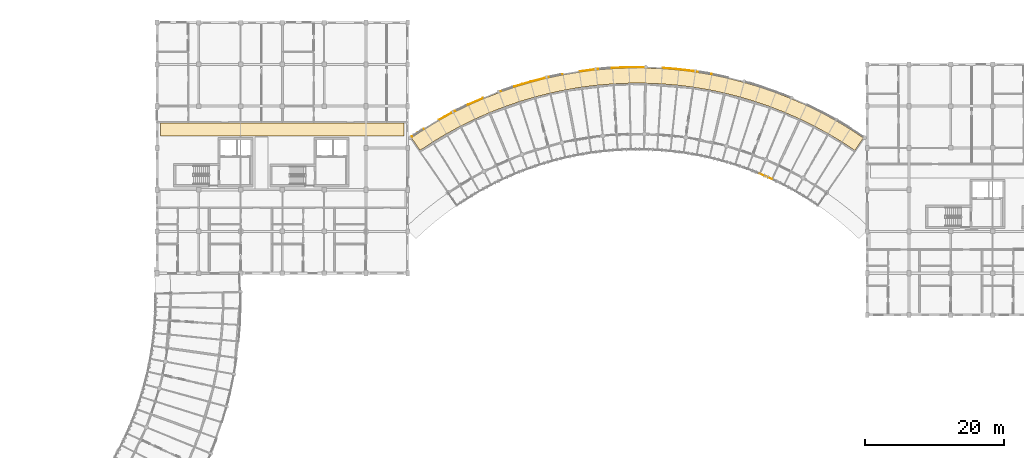
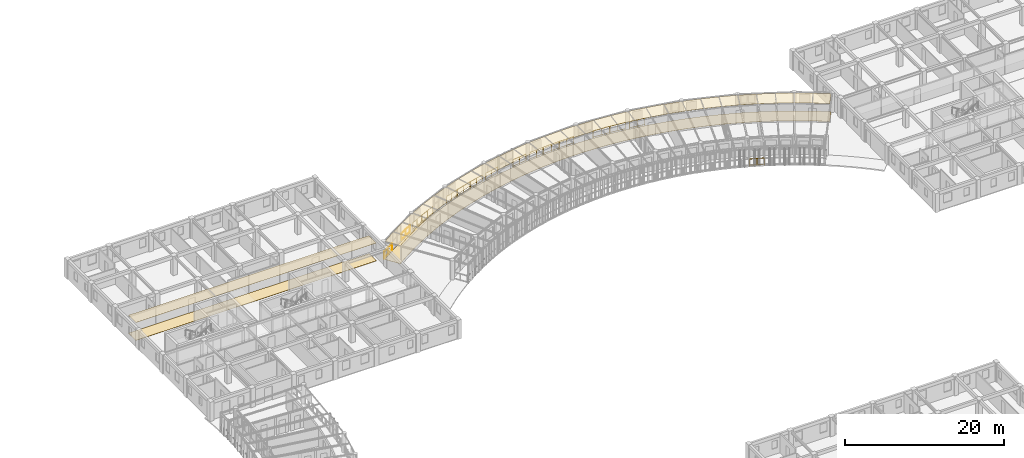
# One storey, part 97 of 100: 16 railings, 4 coverings.
"""IFC4 building model written with IfcOpenShell, lengths in metres."""

from ifc_helpers import new_model, si_unit, direction, frame, origin, origin_2d, place, context, subcontext, project, spatial, polyline, circle, outline, extrude, material, layer, layer_set, type_object, element, save


model = new_model("IFC4")

# Units and contexts
model_context = context("Model", 3, precision=1e-05, world=origin(), true_north=direction((0.0, 1.0)))
body_context = subcontext(model_context, "Body", "Model", "MODEL_VIEW")
ifc_project = project(units=[si_unit("LENGTHUNIT", "METRE"), si_unit("AREAUNIT", "SQUARE_METRE"), si_unit("VOLUMEUNIT", "CUBIC_METRE"), si_unit("PLANEANGLEUNIT", "RADIAN"), si_unit("MASSUNIT", "GRAM", prefix="KILO"), si_unit("POWERUNIT", "WATT"), si_unit("THERMODYNAMICTEMPERATUREUNIT", "KELVIN")], contexts=[model_context])

# Site, building, storey
site_placement = place(None, origin())
site = spatial("IfcSite", under=ifc_project, at=site_placement, CompositionType="ELEMENT")
building_placement = place(site_placement, origin())
building = spatial("IfcBuilding", under=site, at=building_placement, Name="Ruvembo Vaulted Housing Court", CompositionType="ELEMENT")
storey_placement = place(building_placement, frame((0.0, 0.0, 14.10009765625)))
storey = spatial("IfcBuildingStorey", under=building, at=storey_placement, Name="L04", CompositionType="ELEMENT", Elevation=14.10009765625)

# Coverings
ifc_material_1 = material(Name="Perforated Mineral-Fibre Acoustic Tile", Category="gypsum")
ifc_layer_1 = layer(ifc_material_1, 0.02001953125, Name="Perforated Mineral-Fibre Acoustic Tile")
ifc_layer_set_1 = layer_set([ifc_layer_1], Name="Perforated Mineral-Fibre Acoustic Tile")
covering_type_1 = type_object("IfcCoveringType", Name="COV-CEIL-ACOUST", PredefinedType="CEILING", material=ifc_layer_set_1)
covering_1_placement = place(storey_placement, frame((0.0, 0.0, 2.75)))
element("IfcCovering", 1, at=covering_1_placement, inside=storey, type_object=covering_type_1, Name="Block B L04 North Sub-Corridor Ceiling", PredefinedType="CEILING", context=body_context, shape_type="SweptSolid", body=[
    extrude(outline(polyline([(48.510009765625, 97.7099609375), (83.489990234375, 97.7099609375), (83.489990234375, 99.590087890625), (48.510009765625, 99.590087890625), (48.510009765625, 97.7099609375)])), origin(), (0.0, 0.0, 1.0), 0.02001953125),
])
covering_2_placement = place(storey_placement, frame((0.0, 0.0, 2.75)))
element("IfcCovering", 2, at=covering_2_placement, inside=storey, type_object=covering_type_1, Name="Scoop SC3 L04 Shaded Access Gallery Ceiling", PredefinedType="CEILING", context=body_context, shape_type="SweptSolid", body=[
    extrude(outline(polyline([(87.599853515625, 96.848876953125), (87.603759765625, 96.851318359375), (89.5693359375, 98.02880859375), (89.5732421875, 98.031005859375), (91.5859375, 99.12548828125), (91.590087890625, 99.127685546875), (93.646484375, 100.137939453125), (93.650634765625, 100.139892578125), (95.747314453125, 101.06396484375), (95.751708984375, 101.065673828125), (97.884765625, 101.90185546875), (97.888916015625, 101.9033203125), (100.054931640625, 102.650390625), (100.059326171875, 102.65185546875), (102.25439453125, 103.30810546875), (102.2587890625, 103.309326171875), (104.4794921875, 103.874267578125), (104.48388671875, 103.875244140625), (106.725830078125, 104.347412109375), (106.73046875, 104.348388671875), (108.990234375, 104.72705078125), (108.99462890625, 104.7275390625), (111.26806640625, 105.01220703125), (111.272705078125, 105.0126953125), (113.55615234375, 105.20263671875), (113.560546875, 105.202880859375), (115.849853515625, 105.298095703125), (115.8544921875, 105.298095703125), (118.1455078125, 105.298095703125), (118.150146484375, 105.298095703125), (120.439453125, 105.202880859375), (120.44384765625, 105.20263671875), (122.727294921875, 105.0126953125), (122.73193359375, 105.01220703125), (125.00537109375, 104.7275390625), (125.009765625, 104.72705078125), (127.26953125, 104.348388671875), (127.274169921875, 104.347412109375), (129.51611328125, 103.875244140625), (129.5205078125, 103.874267578125), (131.7412109375, 103.309326171875), (131.74560546875, 103.30810546875), (133.940673828125, 102.65185546875), (133.945068359375, 102.650390625), (136.111083984375, 101.9033203125), (136.115234375, 101.90185546875), (138.248291015625, 101.065673828125), (138.252685546875, 101.06396484375), (140.349365234375, 100.139892578125), (140.353515625, 100.137939453125), (142.409912109375, 99.127685546875), (142.4140625, 99.12548828125), (144.4267578125, 98.031005859375), (144.4306640625, 98.02880859375), (146.396484375, 96.851318359375), (146.400390625, 96.848876953125), (148.22509765625, 95.650390625), (149.45947265625, 97.447021484375), (147.556884765625, 98.69677734375), (145.509765625, 99.9228515625), (143.41357421875, 101.06298828125), (141.271728515625, 102.114990234375), (139.088134765625, 103.077392578125), (136.866455078125, 103.948486328125), (134.610595703125, 104.726318359375), (132.324462890625, 105.409912109375), (130.01171875, 105.998046875), (127.6767578125, 106.489990234375), (125.3232421875, 106.88427734375), (122.955322265625, 107.1806640625), (120.577392578125, 107.378662109375), (118.193115234375, 107.4775390625), (115.806884765625, 107.4775390625), (113.422607421875, 107.378662109375), (111.044677734375, 107.1806640625), (108.6767578125, 106.88427734375), (106.3232421875, 106.489990234375), (103.98828125, 105.998046875), (101.675537109375, 105.409912109375), (99.389404296875, 104.726318359375), (97.133544921875, 103.948486328125), (94.911865234375, 103.077392578125), (92.728271484375, 102.114990234375), (90.58642578125, 101.06298828125), (88.490234375, 99.9228515625), (86.443115234375, 98.69677734375), (84.54052734375, 97.447021484375), (85.77490234375, 95.650390625), (87.599853515625, 96.848876953125)])), origin(), (0.0, 0.0, 1.0), 0.02001953125),
])
ifc_material_2 = material(Name="Polished Cement-Aggregate Terrazzo", Category="stone")
ifc_layer_2 = layer(ifc_material_2, 0.02197265625, Name="Polished Cement-Aggregate Terrazzo")
ifc_layer_set_2 = layer_set([ifc_layer_2], Name="Polished Cement-Aggregate Terrazzo")
covering_type_2 = type_object("IfcCoveringType", Name="COV-FLR-CERAMIC", PredefinedType="FLOORING", material=ifc_layer_set_2)
covering_3_placement = place(storey_placement, origin())
element("IfcCovering", 3, at=covering_3_placement, inside=storey, type_object=covering_type_2, Name="Block B L04 North Sub-Corridor Flooring", PredefinedType="FLOORING", context=body_context, shape_type="SweptSolid", body=[
    extrude(outline(polyline([(48.510009765625, 97.7099609375), (83.489990234375, 97.7099609375), (83.489990234375, 99.590087890625), (48.510009765625, 99.590087890625), (48.510009765625, 97.7099609375)])), origin(), (0.0, 0.0, 1.0), 0.02197265625),
])
covering_4_placement = place(storey_placement, origin())
element("IfcCovering", 4, at=covering_4_placement, inside=storey, type_object=covering_type_2, Name="Scoop SC3 L04 Shaded Access Gallery Flooring", PredefinedType="FLOORING", context=body_context, shape_type="SweptSolid", body=[
    extrude(outline(polyline([(87.599853515625, 96.848876953125), (87.603759765625, 96.851318359375), (89.5693359375, 98.02880859375), (89.5732421875, 98.031005859375), (91.5859375, 99.12548828125), (91.590087890625, 99.127685546875), (93.646484375, 100.137939453125), (93.650634765625, 100.139892578125), (95.747314453125, 101.06396484375), (95.751708984375, 101.065673828125), (97.884765625, 101.90185546875), (97.888916015625, 101.9033203125), (100.054931640625, 102.650390625), (100.059326171875, 102.65185546875), (102.25439453125, 103.30810546875), (102.2587890625, 103.309326171875), (104.4794921875, 103.874267578125), (104.48388671875, 103.875244140625), (106.725830078125, 104.347412109375), (106.73046875, 104.348388671875), (108.990234375, 104.72705078125), (108.99462890625, 104.7275390625), (111.26806640625, 105.01220703125), (111.272705078125, 105.0126953125), (113.55615234375, 105.20263671875), (113.560546875, 105.202880859375), (115.849853515625, 105.298095703125), (115.8544921875, 105.298095703125), (118.1455078125, 105.298095703125), (118.150146484375, 105.298095703125), (120.439453125, 105.202880859375), (120.44384765625, 105.20263671875), (122.727294921875, 105.0126953125), (122.73193359375, 105.01220703125), (125.00537109375, 104.7275390625), (125.009765625, 104.72705078125), (127.26953125, 104.348388671875), (127.274169921875, 104.347412109375), (129.51611328125, 103.875244140625), (129.5205078125, 103.874267578125), (131.7412109375, 103.309326171875), (131.74560546875, 103.30810546875), (133.940673828125, 102.65185546875), (133.945068359375, 102.650390625), (136.111083984375, 101.9033203125), (136.115234375, 101.90185546875), (138.248291015625, 101.065673828125), (138.252685546875, 101.06396484375), (140.349365234375, 100.139892578125), (140.353515625, 100.137939453125), (142.409912109375, 99.127685546875), (142.4140625, 99.12548828125), (144.4267578125, 98.031005859375), (144.4306640625, 98.02880859375), (146.396484375, 96.851318359375), (146.400390625, 96.848876953125), (148.22509765625, 95.650390625), (149.45947265625, 97.447021484375), (147.556884765625, 98.69677734375), (145.509765625, 99.9228515625), (143.41357421875, 101.06298828125), (141.271728515625, 102.114990234375), (139.088134765625, 103.077392578125), (136.866455078125, 103.948486328125), (134.610595703125, 104.726318359375), (132.324462890625, 105.409912109375), (130.01171875, 105.998046875), (127.6767578125, 106.489990234375), (125.3232421875, 106.88427734375), (122.955322265625, 107.1806640625), (120.577392578125, 107.378662109375), (118.193115234375, 107.4775390625), (115.806884765625, 107.4775390625), (113.422607421875, 107.378662109375), (111.044677734375, 107.1806640625), (108.6767578125, 106.88427734375), (106.3232421875, 106.489990234375), (103.98828125, 105.998046875), (101.675537109375, 105.409912109375), (99.389404296875, 104.726318359375), (97.133544921875, 103.948486328125), (94.911865234375, 103.077392578125), (92.728271484375, 102.114990234375), (90.58642578125, 101.06298828125), (88.490234375, 99.9228515625), (86.443115234375, 98.69677734375), (84.54052734375, 97.447021484375), (85.77490234375, 95.650390625), (87.599853515625, 96.848876953125)])), origin(), (0.0, 0.0, 1.0), 0.02197265625),
])

# Railings
ifc_material_3 = material(Name="Galvanised Painted Steel and Laminated Glass", Category="steel")
ifc_layer_3 = layer(ifc_material_3, 0.070068359375, Name="Galvanised Painted Steel and Laminated Glass")
ifc_layer_set_3 = layer_set([ifc_layer_3], Name="Galvanised Painted Steel and Laminated Glass")
railing_type_1 = type_object("IfcRailingType", Name="RL-BALUST-1120", PredefinedType="BALUSTRADE", material=ifc_layer_set_3)
railing_1_placement = place(storey_placement, frame((84.636962890625, 97.64208984375, 0.0)))
element("IfcRailing", 5, at=railing_1_placement, inside=storey, type_object=railing_type_1, Name="L04 Perimeter Guard RL-EXT-L04-0747", PredefinedType="BALUSTRADE", context=body_context, shape_type="SweptSolid", body=[
    extrude(circle(Radius=0.02392578125, at=origin_2d()), frame((0.0, 0.0, 1.09619140625), z_axis=(0.835840359874, 0.548972579284, 0.0), x_axis=(-0.548972579284, 0.835840359874, 0.0)), (0.0, 0.0, 1.0), 2.040771484375),
    extrude(circle(Radius=0.01806640625, at=origin_2d()), frame((0.0, 0.0, 0.1201171875), z_axis=(0.835840359874, 0.548972579284, 0.0), x_axis=(-0.548972579284, 0.835840359874, 0.0)), (0.0, 0.0, 1.0), 2.040771484375),
    extrude(circle(Radius=0.02099609375, at=origin_2d()), origin(), (0.0, 0.0, 1.0), 1.072021484375),
    extrude(circle(Radius=0.02099609375, at=origin_2d()), frame((0.85302734375, 0.56005859375, 0.0)), (0.0, 0.0, 1.0), 1.072021484375),
    extrude(circle(Radius=0.02099609375, at=origin_2d()), frame((1.705810546875, 1.120361328125, 0.0)), (0.0, 0.0, 1.0), 1.072021484375),
])
railing_2_placement = place(storey_placement, frame((88.4794921875, 100.042236328125, 0.0)))
element("IfcRailing", 6, at=railing_2_placement, inside=storey, type_object=railing_type_1, Name="L04 Perimeter Guard RL-EXT-L04-0748", PredefinedType="BALUSTRADE", context=body_context, shape_type="SweptSolid", body=[
    extrude(circle(Radius=0.02392578125, at=origin_2d()), frame((0.0, 0.0, 1.09619140625), z_axis=(0.878489187203, 0.477762229533, 0.0), x_axis=(-0.477762229533, 0.878489187203, 0.0)), (0.0, 0.0, 1.0), 2.041015625),
    extrude(circle(Radius=0.01806640625, at=origin_2d()), frame((0.0, 0.0, 0.1201171875), z_axis=(0.878489187203, 0.477762229533, 0.0), x_axis=(-0.477762229533, 0.878489187203, 0.0)), (0.0, 0.0, 1.0), 2.041015625),
    extrude(circle(Radius=0.02099609375, at=origin_2d()), origin(), (0.0, 0.0, 1.0), 1.072021484375),
    extrude(circle(Radius=0.02099609375, at=origin_2d()), frame((0.896484375, 0.487548828125, 0.0)), (0.0, 0.0, 1.0), 1.072021484375),
    extrude(circle(Radius=0.02099609375, at=origin_2d()), frame((1.79296875, 0.97509765625, 0.0)), (0.0, 0.0, 1.0), 1.072021484375),
])
railing_3_placement = place(storey_placement, frame((90.80517578125, 101.29296875, 0.0)))
element("IfcRailing", 7, at=railing_3_placement, inside=storey, type_object=railing_type_1, Name="L04 Perimeter Guard RL-EXT-L04-0749", PredefinedType="BALUSTRADE", context=body_context, shape_type="SweptSolid", body=[
    extrude(circle(Radius=0.02392578125, at=origin_2d()), frame((0.0, 0.0, 1.09619140625), z_axis=(0.897539376621, 0.440934311905, 0.0), x_axis=(-0.440934311905, 0.897539376621, 0.0)), (0.0, 0.0, 1.0), 2.041015625),
    extrude(circle(Radius=0.01806640625, at=origin_2d()), frame((0.0, 0.0, 0.1201171875), z_axis=(0.897539376621, 0.440934311905, 0.0), x_axis=(-0.440934311905, 0.897539376621, 0.0)), (0.0, 0.0, 1.0), 2.041015625),
    extrude(circle(Radius=0.02099609375, at=origin_2d()), origin(), (0.0, 0.0, 1.0), 1.072021484375),
    extrude(circle(Radius=0.02099609375, at=origin_2d()), frame((0.916015625, 0.449951171875, 0.0)), (0.0, 0.0, 1.0), 1.072021484375),
    extrude(circle(Radius=0.02099609375, at=origin_2d()), frame((1.831787109375, 0.89990234375, 0.0)), (0.0, 0.0, 1.0), 1.072021484375),
])
railing_4_placement = place(storey_placement, frame((92.7275390625, 102.235107421875, 0.0)))
element("IfcRailing", 8, at=railing_4_placement, inside=storey, type_object=railing_type_1, Name="L04 Perimeter Guard RL-EXT-L04-0750", PredefinedType="BALUSTRADE", context=body_context, shape_type="SweptSolid", body=[
    extrude(circle(Radius=0.02392578125, at=origin_2d()), frame((0.0, 0.0, 1.09619140625), z_axis=(0.915112182251, 0.403199322788, 0.0), x_axis=(-0.403199322788, 0.915112182251, 0.0)), (0.0, 0.0, 1.0), 2.29052734375),
    extrude(circle(Radius=0.01806640625, at=origin_2d()), frame((0.0, 0.0, 0.1201171875), z_axis=(0.915112182251, 0.403199322788, 0.0), x_axis=(-0.403199322788, 0.915112182251, 0.0)), (0.0, 0.0, 1.0), 2.29052734375),
    extrude(circle(Radius=0.02099609375, at=origin_2d()), origin(), (0.0, 0.0, 1.0), 1.072021484375),
    extrude(circle(Radius=0.02099609375, at=origin_2d()), frame((1.048095703125, 0.4619140625, 0.0)), (0.0, 0.0, 1.0), 1.072021484375),
    extrude(circle(Radius=0.02099609375, at=origin_2d()), frame((2.09619140625, 0.923583984375, 0.0)), (0.0, 0.0, 1.0), 1.072021484375),
])
railing_5_placement = place(storey_placement, frame((97.379150390625, 104.1494140625, 0.0)))
element("IfcRailing", 9, at=railing_5_placement, inside=storey, type_object=railing_type_1, Name="L04 Perimeter Guard RL-EXT-L04-0751", PredefinedType="BALUSTRADE", context=body_context, shape_type="SweptSolid", body=[
    extrude(circle(Radius=0.02392578125, at=origin_2d()), frame((0.0, 0.0, 1.09619140625), z_axis=(0.945366624572, 0.326009118193, 0.0), x_axis=(-0.326009118193, 0.945366624572, 0.0)), (0.0, 0.0, 1.0), 2.040771484375),
    extrude(circle(Radius=0.01806640625, at=origin_2d()), frame((0.0, 0.0, 0.1201171875), z_axis=(0.945366624572, 0.326009118193, 0.0), x_axis=(-0.326009118193, 0.945366624572, 0.0)), (0.0, 0.0, 1.0), 2.040771484375),
    extrude(circle(Radius=0.02099609375, at=origin_2d()), origin(), (0.0, 0.0, 1.0), 1.072021484375),
    extrude(circle(Radius=0.02099609375, at=origin_2d()), frame((0.964599609375, 0.33251953125, 0.0)), (0.0, 0.0, 1.0), 1.072021484375),
    extrude(circle(Radius=0.02099609375, at=origin_2d()), frame((1.92919921875, 0.665283203125, 0.0)), (0.0, 0.0, 1.0), 1.072021484375),
])
railing_6_placement = place(storey_placement, frame((99.403564453125, 104.84521484375, 0.0)))
element("IfcRailing", 10, at=railing_6_placement, inside=storey, type_object=railing_type_1, Name="L04 Perimeter Guard RL-EXT-L04-0752", PredefinedType="BALUSTRADE", context=body_context, shape_type="SweptSolid", body=[
    extrude(circle(Radius=0.02392578125, at=origin_2d()), frame((0.0, 0.0, 1.09619140625), z_axis=(0.958060614502, 0.28656562763, 0.0), x_axis=(-0.28656562763, 0.958060614502, 0.0)), (0.0, 0.0, 1.0), 2.291015625),
    extrude(circle(Radius=0.01806640625, at=origin_2d()), frame((0.0, 0.0, 0.1201171875), z_axis=(0.958060614502, 0.28656562763, 0.0), x_axis=(-0.28656562763, 0.958060614502, 0.0)), (0.0, 0.0, 1.0), 2.291015625),
    extrude(circle(Radius=0.02099609375, at=origin_2d()), origin(), (0.0, 0.0, 1.0), 1.072021484375),
    extrude(circle(Radius=0.02099609375, at=origin_2d()), frame((1.097412109375, 0.328125, 0.0)), (0.0, 0.0, 1.0), 1.072021484375),
    extrude(circle(Radius=0.02099609375, at=origin_2d()), frame((2.19482421875, 0.656494140625, 0.0)), (0.0, 0.0, 1.0), 1.072021484375),
])
railing_7_placement = place(storey_placement, frame((101.69482421875, 105.5283203125, 0.0)))
element("IfcRailing", 11, at=railing_7_placement, inside=storey, type_object=railing_type_1, Name="L04 Perimeter Guard RL-EXT-L04-0753", PredefinedType="BALUSTRADE", context=body_context, shape_type="SweptSolid", body=[
    extrude(circle(Radius=0.02392578125, at=origin_2d()), frame((0.0, 0.0, 1.09619140625), z_axis=(0.969127844762, 0.246558756703, 0.0), x_axis=(-0.246558756703, 0.969127844762, 0.0)), (0.0, 0.0, 1.0), 2.040771484375),
    extrude(circle(Radius=0.01806640625, at=origin_2d()), frame((0.0, 0.0, 0.1201171875), z_axis=(0.969127844762, 0.246558756703, 0.0), x_axis=(-0.246558756703, 0.969127844762, 0.0)), (0.0, 0.0, 1.0), 2.040771484375),
    extrude(circle(Radius=0.02099609375, at=origin_2d()), origin(), (0.0, 0.0, 1.0), 1.072021484375),
    extrude(circle(Radius=0.02099609375, at=origin_2d()), frame((0.98876953125, 0.25146484375, 0.0)), (0.0, 0.0, 1.0), 1.072021484375),
    extrude(circle(Radius=0.02099609375, at=origin_2d()), frame((1.977783203125, 0.503173828125, 0.0)), (0.0, 0.0, 1.0), 1.072021484375),
])
railing_8_placement = place(storey_placement, frame((104.257080078125, 106.1669921875, 0.0)))
element("IfcRailing", 12, at=railing_8_placement, inside=storey, type_object=railing_type_1, Name="L04 Perimeter Guard RL-EXT-L04-0754", PredefinedType="BALUSTRADE", context=body_context, shape_type="SweptSolid", body=[
    extrude(circle(Radius=0.02392578125, at=origin_2d()), frame((0.0, 0.0, 1.09619140625), z_axis=(0.978523119945, 0.20613709936, 0.0), x_axis=(-0.20613709936, 0.978523119945, 0.0)), (0.0, 0.0, 1.0), 2.040771484375),
    extrude(circle(Radius=0.01806640625, at=origin_2d()), frame((0.0, 0.0, 0.1201171875), z_axis=(0.978523119945, 0.20613709936, 0.0), x_axis=(-0.20613709936, 0.978523119945, 0.0)), (0.0, 0.0, 1.0), 2.040771484375),
    extrude(circle(Radius=0.02099609375, at=origin_2d()), origin(), (0.0, 0.0, 1.0), 1.072021484375),
    extrude(circle(Radius=0.02099609375, at=origin_2d()), frame((0.99853515625, 0.21044921875, 0.0)), (0.0, 0.0, 1.0), 1.072021484375),
    extrude(circle(Radius=0.02099609375, at=origin_2d()), frame((1.996826171875, 0.420654296875, 0.0)), (0.0, 0.0, 1.0), 1.072021484375),
])
railing_9_placement = place(storey_placement, frame((108.71044921875, 106.99951171875, 0.0)))
element("IfcRailing", 13, at=railing_9_placement, inside=storey, type_object=railing_type_1, Name="L04 Perimeter Guard RL-EXT-L04-0755", PredefinedType="BALUSTRADE", context=body_context, shape_type="SweptSolid", body=[
    extrude(circle(Radius=0.02392578125, at=origin_2d()), frame((0.0, 0.0, 1.09619140625), z_axis=(0.992276036245, 0.124049457455, 0.0), x_axis=(-0.124049457455, 0.992276036245, 0.0)), (0.0, 0.0, 1.0), 2.041015625),
    extrude(circle(Radius=0.01806640625, at=origin_2d()), frame((0.0, 0.0, 0.1201171875), z_axis=(0.992276036245, 0.124049457455, 0.0), x_axis=(-0.124049457455, 0.992276036245, 0.0)), (0.0, 0.0, 1.0), 2.041015625),
    extrude(circle(Radius=0.02099609375, at=origin_2d()), origin(), (0.0, 0.0, 1.0), 1.072021484375),
    extrude(circle(Radius=0.02099609375, at=origin_2d()), frame((1.0126953125, 0.12646484375, 0.0)), (0.0, 0.0, 1.0), 1.072021484375),
    extrude(circle(Radius=0.02099609375, at=origin_2d()), frame((2.025146484375, 0.253173828125, 0.0)), (0.0, 0.0, 1.0), 1.072021484375),
])
railing_10_placement = place(storey_placement, frame((111.332275390625, 107.31494140625, 0.0)))
element("IfcRailing", 14, at=railing_10_placement, inside=storey, type_object=railing_type_1, Name="L04 Perimeter Guard RL-EXT-L04-0756", PredefinedType="BALUSTRADE", context=body_context, shape_type="SweptSolid", body=[
    extrude(circle(Radius=0.02392578125, at=origin_2d()), frame((0.0, 0.0, 1.09619140625), z_axis=(0.996547408166, 0.083025678423, 0.0), x_axis=(-0.083025678423, 0.996547408166, 0.0)), (0.0, 0.0, 1.0), 2.040771484375),
    extrude(circle(Radius=0.01806640625, at=origin_2d()), frame((0.0, 0.0, 0.1201171875), z_axis=(0.996547408166, 0.083025678423, 0.0), x_axis=(-0.083025678423, 0.996547408166, 0.0)), (0.0, 0.0, 1.0), 2.040771484375),
    extrude(circle(Radius=0.02099609375, at=origin_2d()), origin(), (0.0, 0.0, 1.0), 1.072021484375),
    extrude(circle(Radius=0.02099609375, at=origin_2d()), frame((1.016845703125, 0.084716796875, 0.0)), (0.0, 0.0, 1.0), 1.072021484375),
    extrude(circle(Radius=0.02099609375, at=origin_2d()), frame((2.03369140625, 0.16943359375, 0.0)), (0.0, 0.0, 1.0), 1.072021484375),
])
railing_11_placement = place(storey_placement, frame((113.4658203125, 107.490478515625, 0.0)))
element("IfcRailing", 15, at=railing_11_placement, inside=storey, type_object=railing_type_1, Name="L04 Perimeter Guard RL-EXT-L04-0757", PredefinedType="BALUSTRADE", context=body_context, shape_type="SweptSolid", body=[
    extrude(circle(Radius=0.02392578125, at=origin_2d()), frame((0.0, 0.0, 1.09619140625), z_axis=(0.999140261642, 0.041457659923, 0.0), x_axis=(-0.041457659923, 0.999140261642, 0.0)), (0.0, 0.0, 1.0), 2.290771484375),
    extrude(circle(Radius=0.01806640625, at=origin_2d()), frame((0.0, 0.0, 0.1201171875), z_axis=(0.999140261642, 0.041457659923, 0.0), x_axis=(-0.041457659923, 0.999140261642, 0.0)), (0.0, 0.0, 1.0), 2.290771484375),
    extrude(circle(Radius=0.02099609375, at=origin_2d()), origin(), (0.0, 0.0, 1.0), 1.072021484375),
    extrude(circle(Radius=0.02099609375, at=origin_2d()), frame((1.14453125, 0.04736328125, 0.0)), (0.0, 0.0, 1.0), 1.072021484375),
    extrude(circle(Radius=0.02099609375, at=origin_2d()), frame((2.288818359375, 0.094970703125, 0.0)), (0.0, 0.0, 1.0), 1.072021484375),
])
railing_12_placement = place(storey_placement, frame((115.8544921875, 107.587646484375, 0.0)))
element("IfcRailing", 16, at=railing_12_placement, inside=storey, type_object=railing_type_1, Name="L04 Perimeter Guard RL-EXT-L04-0758", PredefinedType="BALUSTRADE", context=body_context, shape_type="SweptSolid", body=[
    extrude(circle(Radius=0.02392578125, at=origin_2d()), frame((0.0, 0.0, 1.09619140625), z_axis=(1.0, 0.0, 0.0), x_axis=(0.0, 1.0, 0.0)), (0.0, 0.0, 1.0), 2.041015625),
    extrude(circle(Radius=0.01806640625, at=origin_2d()), frame((0.0, 0.0, 0.1201171875), z_axis=(1.0, 0.0, 0.0), x_axis=(0.0, 1.0, 0.0)), (0.0, 0.0, 1.0), 2.041015625),
    extrude(circle(Radius=0.02099609375, at=origin_2d()), origin(), (0.0, 0.0, 1.0), 1.072021484375),
    extrude(circle(Radius=0.02099609375, at=origin_2d()), frame((1.0205078125, 0.0, 0.0)), (0.0, 0.0, 1.0), 1.072021484375),
    extrude(circle(Radius=0.02099609375, at=origin_2d()), frame((2.041015625, 0.0, 0.0)), (0.0, 0.0, 1.0), 1.072021484375),
])
railing_13_placement = place(storey_placement, frame((120.634033203125, 107.484375, 0.0)))
element("IfcRailing", 17, at=railing_13_placement, inside=storey, type_object=railing_type_1, Name="L04 Perimeter Guard RL-EXT-L04-0759", PredefinedType="BALUSTRADE", context=body_context, shape_type="SweptSolid", body=[
    extrude(circle(Radius=0.02392578125, at=origin_2d()), frame((0.0, 0.0, 1.09619140625), z_axis=(0.996547962816, -0.08301902075, 0.0), x_axis=(0.08301902075, 0.996547962816, 0.0)), (0.0, 0.0, 1.0), 2.290771484375),
    extrude(circle(Radius=0.01806640625, at=origin_2d()), frame((0.0, 0.0, 0.1201171875), z_axis=(0.996547962816, -0.08301902075, 0.0), x_axis=(0.08301902075, 0.996547962816, 0.0)), (0.0, 0.0, 1.0), 2.290771484375),
    extrude(circle(Radius=0.02099609375, at=origin_2d()), origin(), (0.0, 0.0, 1.0), 1.072021484375),
    extrude(circle(Radius=0.02099609375, at=origin_2d()), frame((1.1416015625, -0.09521484375, 0.0)), (0.0, 0.0, 1.0), 1.072021484375),
    extrude(circle(Radius=0.02099609375, at=origin_2d()), frame((2.282958984375, -0.190185546875, 0.0)), (0.0, 0.0, 1.0), 1.072021484375),
])
railing_14_placement = place(storey_placement, frame((123.016357421875, 107.283935546875, 0.0)))
element("IfcRailing", 18, at=railing_14_placement, inside=storey, type_object=railing_type_1, Name="L04 Perimeter Guard RL-EXT-L04-0760", PredefinedType="BALUSTRADE", context=body_context, shape_type="SweptSolid", body=[
    extrude(circle(Radius=0.02392578125, at=origin_2d()), frame((0.0, 0.0, 1.09619140625), z_axis=(0.992261304874, -0.124167237427, 0.0), x_axis=(0.124167237427, 0.992261304874, 0.0)), (0.0, 0.0, 1.0), 2.041015625),
    extrude(circle(Radius=0.01806640625, at=origin_2d()), frame((0.0, 0.0, 0.1201171875), z_axis=(0.992261304874, -0.124167237427, 0.0), x_axis=(0.124167237427, 0.992261304874, 0.0)), (0.0, 0.0, 1.0), 2.041015625),
    extrude(circle(Radius=0.02099609375, at=origin_2d()), origin(), (0.0, 0.0, 1.0), 1.072021484375),
    extrude(circle(Radius=0.02099609375, at=origin_2d()), frame((1.0126953125, -0.126708984375, 0.0)), (0.0, 0.0, 1.0), 1.072021484375),
    extrude(circle(Radius=0.02099609375, at=origin_2d()), frame((2.025146484375, -0.25341796875, 0.0)), (0.0, 0.0, 1.0), 1.072021484375),
])
railing_15_placement = place(storey_placement, frame((125.635009765625, 106.943603515625, 0.0)))
element("IfcRailing", 19, at=railing_15_placement, inside=storey, type_object=railing_type_1, Name="L04 Perimeter Guard RL-EXT-L04-0761", PredefinedType="BALUSTRADE", context=body_context, shape_type="SweptSolid", body=[
    extrude(circle(Radius=0.02392578125, at=origin_2d()), frame((0.0, 0.0, 1.09619140625), z_axis=(0.986238287278, -0.165330096193, 0.0), x_axis=(0.165330096193, 0.986238287278, 0.0)), (0.0, 0.0, 1.0), 2.040771484375),
    extrude(circle(Radius=0.01806640625, at=origin_2d()), frame((0.0, 0.0, 0.1201171875), z_axis=(0.986238287278, -0.165330096193, 0.0), x_axis=(0.165330096193, 0.986238287278, 0.0)), (0.0, 0.0, 1.0), 2.040771484375),
    extrude(circle(Radius=0.02099609375, at=origin_2d()), origin(), (0.0, 0.0, 1.0), 1.072021484375),
    extrude(circle(Radius=0.02099609375, at=origin_2d()), frame((1.00634765625, -0.168701171875, 0.0)), (0.0, 0.0, 1.0), 1.072021484375),
    extrude(circle(Radius=0.02099609375, at=origin_2d()), frame((2.0126953125, -0.33740234375, 0.0)), (0.0, 0.0, 1.0), 1.072021484375),
])
ifc_material_4 = material(Name="Galvanised Painted Steel S275", Category="steel")
ifc_layer_4 = layer(ifc_material_4, 0.06005859375, Name="Galvanised Painted Steel S275")
ifc_layer_set_4 = layer_set([ifc_layer_4], Name="Galvanised Painted Steel S275")
railing_type_2 = type_object("IfcRailingType", Name="RL-GUARD-1100", PredefinedType="GUARDRAIL", material=ifc_layer_set_4)
railing_16_placement = place(storey_placement, frame((134.5966796875, 92.28466796875, 0.0)))
element("IfcRailing", 20, at=railing_16_placement, inside=storey, type_object=railing_type_2, Name="L04 Perimeter Guard RL-EXT-L04-0741", PredefinedType="GUARDRAIL", context=body_context, shape_type="SweptSolid", body=[
    extrude(circle(Radius=0.02392578125, at=origin_2d()), frame((0.0, 0.0, 1.076171875), z_axis=(0.91507815309, -0.403276547467, 0.0), x_axis=(0.403276547467, 0.91507815309, 0.0)), (0.0, 0.0, 1.0), 1.90087890625),
    extrude(circle(Radius=0.01806640625, at=origin_2d()), frame((0.0, 0.0, 0.1201171875), z_axis=(0.91507815309, -0.403276547467, 0.0), x_axis=(0.403276547467, 0.91507815309, 0.0)), (0.0, 0.0, 1.0), 1.90087890625),
    extrude(circle(Radius=0.02099609375, at=origin_2d()), origin(), (0.0, 0.0, 1.0), 1.052001953125),
    extrude(circle(Radius=0.02099609375, at=origin_2d()), frame((0.86962890625, -0.38330078125, 0.0)), (0.0, 0.0, 1.0), 1.052001953125),
    extrude(circle(Radius=0.02099609375, at=origin_2d()), frame((1.739501953125, -0.7666015625, 0.0)), (0.0, 0.0, 1.0), 1.052001953125),
])

save(model, "model.ifc")
